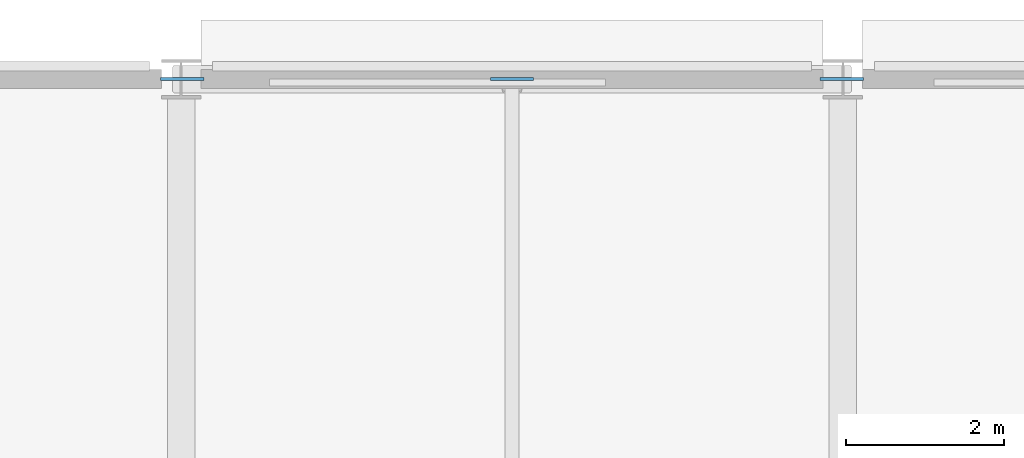
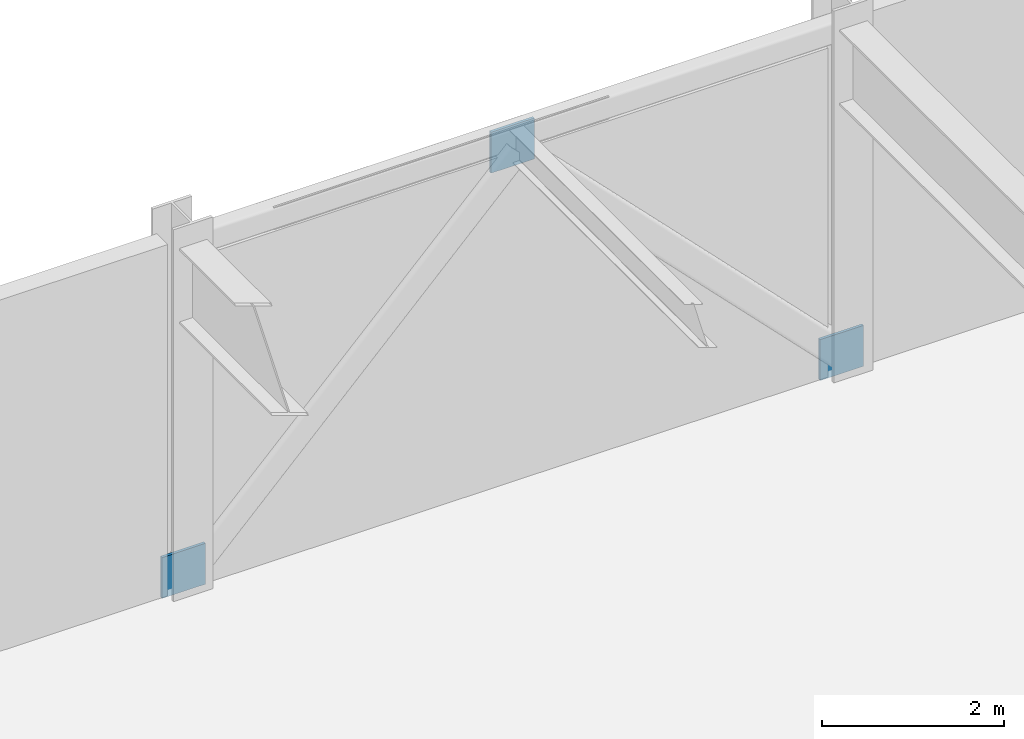
# One storey, part 6 of 13: 3 plates.
"""IFC4 building model written with IfcOpenShell, lengths in metres."""

from ifc_helpers import new_model, si_unit, direction, frame, origin, origin_2d, place, context, subcontext, project, spatial, rectangle, extrude, material, layer, layer_set, type_object, element, save


model = new_model("IFC4")

# Units and contexts
model_context = context("Model", 3, precision=1e-05, world=origin(), true_north=direction((0.0, 1.0)))
body_context = subcontext(model_context, "Body", "Model", "MODEL_VIEW")
ifc_project = project(units=[si_unit("LENGTHUNIT", "METRE"), si_unit("AREAUNIT", "SQUARE_METRE"), si_unit("VOLUMEUNIT", "CUBIC_METRE"), si_unit("PLANEANGLEUNIT", "RADIAN"), si_unit("MASSUNIT", "GRAM", prefix="KILO")], contexts=[model_context])

# Site, building, storey
site_placement = place(None, origin())
site = spatial("IfcSite", under=ifc_project, at=site_placement, CompositionType="ELEMENT")
building_placement = place(site_placement, origin())
building = spatial("IfcBuilding", under=site, at=building_placement, Name="Nerrivon Quay Data Exchange", CompositionType="ELEMENT")
storey_placement = place(building_placement, frame((0.0, 0.0, 79.39990234375)))
storey = spatial("IfcBuildingStorey", under=building, at=storey_placement, Name="L18", CompositionType="ELEMENT", Elevation=79.39990234375)

# Plates
ifc_material = material(Name="Steel Grade 350", Category="steel")
ifc_layer = layer(ifc_material, 0.031982421875)
ifc_layer_set = layer_set([ifc_layer], Name="Steel Grade 350")
plate_type = type_object("IfcPlateType", Name="PLT-KNB01", PredefinedType="USERDEFINED", material=ifc_layer_set)
for number, where, z_axis, x_axis, name in (
    (1, (8.4140625, 50.39990234375, -0.0947265625), (0.0, 0.0, 1.0), (1.0, 0.0, 0.0), "L18 node plate 29"),
    (2, (12.60009765625, 50.39990234375, 4.16015625), (0.0, 0.0, 1.0), (1.0, 0.0, 0.0), "L18 node plate 30"),
    (3, (16.785888671875, 50.39990234375, -0.0947265625), (0.0, 0.0, 1.0), (1.0, 0.0, 0.0), "L18 node plate 31"),
):
    element("IfcPlate", number, at=place(storey_placement, frame(where, z_axis=z_axis, x_axis=x_axis)), inside=storey, type_object=plate_type, Name=name, ObjectType="GUSSET PLATE", PredefinedType="USERDEFINED", context=body_context, shape_type="SweptSolid", body=[
        extrude(rectangle(XDim=0.550048828125, YDim=0.035888671875, at=origin_2d()), origin(), (0.0, 0.0, 1.0), 0.550048828125),
    ])

save(model, "model.ifc")
